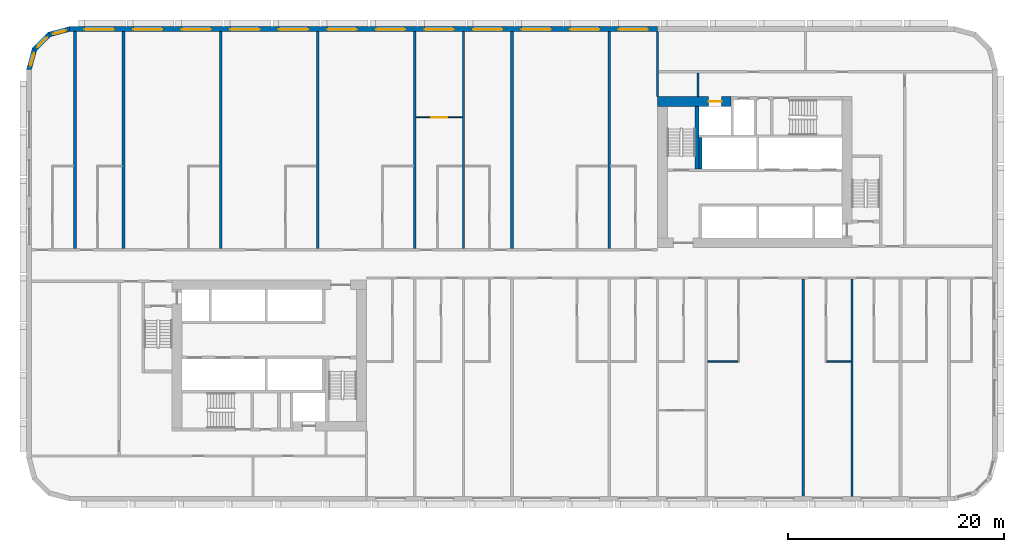
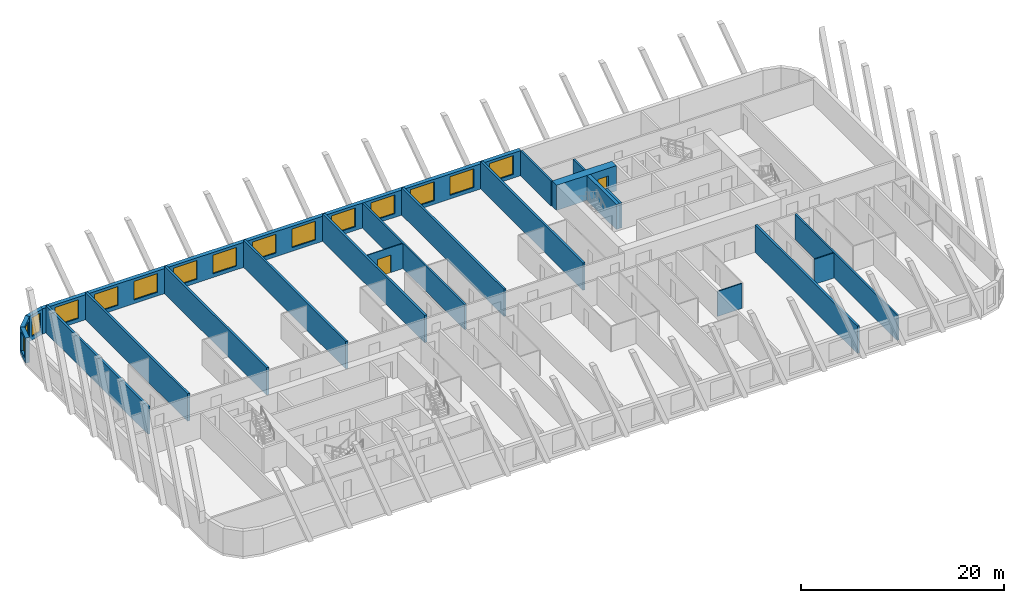
# One storey, part 6 of 13: 22 walls, 15 windows, 2 doors, 17 openings.
"""IFC4 building model written with IfcOpenShell, lengths in metres."""

from ifc_helpers import new_model, si_unit, direction, frame, frame_2d, origin, place, context, subcontext, project, spatial, polyline, rectangle, outline, extrude, material, layer, layer_set, type_object, element, fill, save


model = new_model("IFC4")

# Units and contexts
model_context = context("Model", 3, precision=1e-05, world=origin(), true_north=direction((0.0, 1.0)))
body_context = subcontext(model_context, "Body", "Model", "MODEL_VIEW")
ifc_project = project(units=[si_unit("LENGTHUNIT", "METRE"), si_unit("AREAUNIT", "SQUARE_METRE"), si_unit("VOLUMEUNIT", "CUBIC_METRE"), si_unit("PLANEANGLEUNIT", "RADIAN"), si_unit("MASSUNIT", "GRAM", prefix="KILO")], contexts=[model_context])

# Site, building, storey
site_placement = place(None, origin())
site = spatial("IfcSite", under=ifc_project, at=site_placement, CompositionType="ELEMENT")
building_placement = place(site_placement, origin())
building = spatial("IfcBuilding", under=site, at=building_placement, Name="Kajstack Hotel Tower", CompositionType="ELEMENT")
storey_placement = place(building_placement, frame((0.0, 0.0, 79.800048828125)))
storey = spatial("IfcBuildingStorey", under=building, at=storey_placement, Name="L15", CompositionType="ELEMENT", Elevation=79.800048828125)

# Wall, opening, door
ifc_material_1 = material(Name="Concrete C60/75", Category="concrete")
ifc_layer_1 = layer(ifc_material_1, 0.89990234375)
ifc_layer_set_1 = layer_set([ifc_layer_1], Name="Core wall 900")
wall_type_1 = type_object("IfcWallType", Name="Core wall 900", PredefinedType="SHEAR", material=ifc_layer_set_1)
wall_1_placement = place(storey_placement, frame((13.5, 15.050048828125, 0.0), z_axis=(0.0, 0.0, 1.0), x_axis=(1.0, 0.0, 0.0)))
wall_1 = element("IfcWall", 1, at=wall_1_placement, inside=storey, type_object=wall_type_1, Name="Core wall E RS", PredefinedType="SHEAR", context=body_context, shape_type="SweptSolid", body=[
    extrude(rectangle(XDim=6.800048828125, YDim=0.89990234375, at=frame_2d((3.39990234375, 0.0))), origin(), (0.0, 0.0, 1.0), 3.02001953125),
])
opening_1_placement = place(wall_1_placement, frame((4.72509765625, 0.0, 0.0)))
opening_1 = element("IfcOpeningElement", 2, at=opening_1_placement, cuts=wall_1, Name="Opening LD-SV2", PredefinedType="OPENING", context=body_context, shape_type="SweptSolid", body=[
    extrude(rectangle(XDim=1.199951171875, YDim=2.10009765625, at=frame_2d((0.60009765625, 1.050048828125))), frame((0.0, 0.4599609375, 0.0), z_axis=(0.0, -1.0, 0.0), x_axis=(1.0, 0.0, 0.0)), (0.0, 0.0, 1.0), 0.919921875),
])
ifc_material_2 = material(Name="Stainless steel", Category="steel")
door_type_1 = type_object("IfcDoorType", Name="Lift landing door 1200", OperationType="SLIDING_TO_LEFT", PredefinedType="DOOR", material=ifc_material_2)
door_1_placement = place(opening_1_placement, origin())
door_1 = element("IfcDoor", 3, at=door_1_placement, inside=storey, type_object=door_type_1, Name="Landing door SV2", OperationType="SLIDING_TO_LEFT", OverallHeight=2.10009765625, OverallWidth=1.199951171875, PredefinedType="DOOR", context=body_context, shape_type="SweptSolid", body=[
    extrude(rectangle(XDim=1.199951171875, YDim=2.10009765625, at=frame_2d((0.60009765625, 1.050048828125))), frame((0.0, 0.02490234375, 0.0), z_axis=(0.0, -1.0, 0.0), x_axis=(1.0, 0.0, 0.0)), (0.0, 0.0, 1.0), 0.050048828125),
])
fill(opening_1, door_1)

# Walls
ifc_material_3 = material(Name="Twin-frame gypsum board on steel studs, mineral wool", Category="steel")
ifc_layer_2 = layer(ifc_material_3, 0.199951171875)
ifc_layer_set_2 = layer_set([ifc_layer_2], Name="Demising wall 200")
wall_type_2 = type_object("IfcWallType", Name="Demising wall 200", PredefinedType="PARTITIONING", material=ifc_layer_set_2)
wall_2_placement = place(storey_placement, frame((13.5, 15.5, 0.0), z_axis=(0.0, 0.0, 1.0), x_axis=(0.0, 1.0, 0.0)))
element("IfcWall", 4, at=wall_2_placement, inside=storey, type_object=wall_type_2, Name="G-wall-L15-001", PredefinedType="PARTITIONING", context=body_context, shape_type="SweptSolid", body=[
    extrude(rectangle(XDim=6.050048828125, YDim=0.199951171875, at=frame_2d((3.02490234375, 0.0))), origin(), (0.0, 0.0, 1.0), 3.02001953125),
])
for number, where, z_axis, x_axis, name in (
    (5, (-4.5, 1.39990234375, 0.0), (0.0, 0.0, 1.0), (0.0, 1.0, 0.0), "G-wall-L15-014"),
    (6, (31.5, -21.550048828125, 0.0), (0.0, 0.0, 1.0), (0.0, 1.0, 0.0), "G-wall-L15-042"),
):
    element("IfcWall", number, at=place(storey_placement, frame(where, z_axis=z_axis, x_axis=x_axis)), inside=storey, type_object=wall_type_2, Name=name, PredefinedType="PARTITIONING", context=body_context, shape_type="SweptSolid", body=[
        extrude(rectangle(XDim=20.150146484375, YDim=0.199951171875, at=frame_2d((10.0751953125, 0.0))), origin(), (0.0, 0.0, 1.0), 3.02001953125),
    ])

# Wall, openings, windows
ifc_material_4 = material(Name="Terracotta-faced brick masonry", Category="masonry")
ifc_layer_3 = layer(ifc_material_4, 0.449951171875)
ifc_layer_set_3 = layer_set([ifc_layer_3], Name="EW-TERRA")
wall_type_3 = type_object("IfcWallType", Name="EW-TERRA", PredefinedType="SOLIDWALL", material=ifc_layer_set_3)
wall_3_placement = place(storey_placement, frame((13.5, 21.77490234375, 0.0), z_axis=(0.0, 0.0, 1.0), x_axis=(-1.0, 0.0, 0.0)))
wall_3 = element("IfcWall", 7, at=wall_3_placement, inside=storey, type_object=wall_type_3, Name="E-wall-L15-11-02", PredefinedType="SOLIDWALL", context=body_context, shape_type="SweptSolid", body=[
    extrude(rectangle(XDim=54.5, YDim=0.449951171875, at=frame_2d((27.25, 0.0))), origin(), (0.0, 0.0, 1.0), 3.02001953125),
])
opening_2_placement = place(wall_3_placement, frame((0.89990234375, 0.0, 0.449951171875)))
opening_2 = element("IfcOpeningElement", 8, at=opening_2_placement, cuts=wall_3, Name="Opening W1", PredefinedType="OPENING", context=body_context, shape_type="SweptSolid", body=[
    extrude(rectangle(XDim=2.699951171875, YDim=2.25, at=frame_2d((1.35009765625, 1.125))), frame((0.0, 0.23486328125, 0.0), z_axis=(0.0, -1.0, 0.0), x_axis=(1.0, 0.0, 0.0)), (0.0, 0.0, 1.0), 0.469970703125),
])
opening_3_placement = place(wall_3_placement, frame((5.39990234375, 0.0, 0.449951171875)))
opening_3 = element("IfcOpeningElement", 9, at=opening_3_placement, cuts=wall_3, Name="Opening W1", PredefinedType="OPENING", context=body_context, shape_type="SweptSolid", body=[
    extrude(rectangle(XDim=2.699951171875, YDim=2.25, at=frame_2d((1.35009765625, 1.125))), frame((0.0, 0.23486328125, 0.0), z_axis=(0.0, -1.0, 0.0), x_axis=(1.0, 0.0, 0.0)), (0.0, 0.0, 1.0), 0.469970703125),
])
opening_4_placement = place(wall_3_placement, frame((9.89990234375, 0.0, 0.449951171875)))
opening_4 = element("IfcOpeningElement", 10, at=opening_4_placement, cuts=wall_3, Name="Opening W1", PredefinedType="OPENING", context=body_context, shape_type="SweptSolid", body=[
    extrude(rectangle(XDim=2.699951171875, YDim=2.25, at=frame_2d((1.35009765625, 1.125))), frame((0.0, 0.23486328125, 0.0), z_axis=(0.0, -1.0, 0.0), x_axis=(1.0, 0.0, 0.0)), (0.0, 0.0, 1.0), 0.469970703125),
])
opening_5_placement = place(wall_3_placement, frame((14.39990234375, 0.0, 0.449951171875)))
opening_5 = element("IfcOpeningElement", 11, at=opening_5_placement, cuts=wall_3, Name="Opening W1", PredefinedType="OPENING", context=body_context, shape_type="SweptSolid", body=[
    extrude(rectangle(XDim=2.699951171875, YDim=2.25, at=frame_2d((1.35009765625, 1.125))), frame((0.0, 0.23486328125, 0.0), z_axis=(0.0, -1.0, 0.0), x_axis=(1.0, 0.0, 0.0)), (0.0, 0.0, 1.0), 0.469970703125),
])
opening_6_placement = place(wall_3_placement, frame((18.89990234375, 0.0, 0.449951171875)))
opening_6 = element("IfcOpeningElement", 12, at=opening_6_placement, cuts=wall_3, Name="Opening W1", PredefinedType="OPENING", context=body_context, shape_type="SweptSolid", body=[
    extrude(rectangle(XDim=2.699951171875, YDim=2.25, at=frame_2d((1.35009765625, 1.125))), frame((0.0, 0.23486328125, 0.0), z_axis=(0.0, -1.0, 0.0), x_axis=(1.0, 0.0, 0.0)), (0.0, 0.0, 1.0), 0.469970703125),
])
opening_7_placement = place(wall_3_placement, frame((23.39990234375, 0.0, 0.449951171875)))
opening_7 = element("IfcOpeningElement", 13, at=opening_7_placement, cuts=wall_3, Name="Opening W1", PredefinedType="OPENING", context=body_context, shape_type="SweptSolid", body=[
    extrude(rectangle(XDim=2.699951171875, YDim=2.25, at=frame_2d((1.35009765625, 1.125))), frame((0.0, 0.23486328125, 0.0), z_axis=(0.0, -1.0, 0.0), x_axis=(1.0, 0.0, 0.0)), (0.0, 0.0, 1.0), 0.469970703125),
])
opening_8_placement = place(wall_3_placement, frame((27.89990234375, 0.0, 0.449951171875)))
opening_8 = element("IfcOpeningElement", 14, at=opening_8_placement, cuts=wall_3, Name="Opening W1", PredefinedType="OPENING", context=body_context, shape_type="SweptSolid", body=[
    extrude(rectangle(XDim=2.699951171875, YDim=2.25, at=frame_2d((1.35009765625, 1.125))), frame((0.0, 0.23486328125, 0.0), z_axis=(0.0, -1.0, 0.0), x_axis=(1.0, 0.0, 0.0)), (0.0, 0.0, 1.0), 0.469970703125),
])
opening_9_placement = place(wall_3_placement, frame((32.39990234375, 0.0, 0.449951171875)))
opening_9 = element("IfcOpeningElement", 15, at=opening_9_placement, cuts=wall_3, Name="Opening W1", PredefinedType="OPENING", context=body_context, shape_type="SweptSolid", body=[
    extrude(rectangle(XDim=2.699951171875, YDim=2.25, at=frame_2d((1.35009765625, 1.125))), frame((0.0, 0.23486328125, 0.0), z_axis=(0.0, -1.0, 0.0), x_axis=(1.0, 0.0, 0.0)), (0.0, 0.0, 1.0), 0.469970703125),
])
opening_10_placement = place(wall_3_placement, frame((36.89990234375, 0.0, 0.449951171875)))
opening_10 = element("IfcOpeningElement", 16, at=opening_10_placement, cuts=wall_3, Name="Opening W1", PredefinedType="OPENING", context=body_context, shape_type="SweptSolid", body=[
    extrude(rectangle(XDim=2.699951171875, YDim=2.25, at=frame_2d((1.35009765625, 1.125))), frame((0.0, 0.23486328125, 0.0), z_axis=(0.0, -1.0, 0.0), x_axis=(1.0, 0.0, 0.0)), (0.0, 0.0, 1.0), 0.469970703125),
])
opening_11_placement = place(wall_3_placement, frame((41.39990234375, 0.0, 0.449951171875)))
opening_11 = element("IfcOpeningElement", 17, at=opening_11_placement, cuts=wall_3, Name="Opening W1", PredefinedType="OPENING", context=body_context, shape_type="SweptSolid", body=[
    extrude(rectangle(XDim=2.699951171875, YDim=2.25, at=frame_2d((1.35009765625, 1.125))), frame((0.0, 0.23486328125, 0.0), z_axis=(0.0, -1.0, 0.0), x_axis=(1.0, 0.0, 0.0)), (0.0, 0.0, 1.0), 0.469970703125),
])
opening_12_placement = place(wall_3_placement, frame((45.89990234375, 0.0, 0.449951171875)))
opening_12 = element("IfcOpeningElement", 18, at=opening_12_placement, cuts=wall_3, Name="Opening W1", PredefinedType="OPENING", context=body_context, shape_type="SweptSolid", body=[
    extrude(rectangle(XDim=2.699951171875, YDim=2.25, at=frame_2d((1.35009765625, 1.125))), frame((0.0, 0.23486328125, 0.0), z_axis=(0.0, -1.0, 0.0), x_axis=(1.0, 0.0, 0.0)), (0.0, 0.0, 1.0), 0.469970703125),
])
opening_13_placement = place(wall_3_placement, frame((50.39990234375, 0.0, 0.449951171875)))
opening_13 = element("IfcOpeningElement", 19, at=opening_13_placement, cuts=wall_3, Name="Opening W1", PredefinedType="OPENING", context=body_context, shape_type="SweptSolid", body=[
    extrude(rectangle(XDim=2.699951171875, YDim=2.25, at=frame_2d((1.35009765625, 1.125))), frame((0.0, 0.23486328125, 0.0), z_axis=(0.0, -1.0, 0.0), x_axis=(1.0, 0.0, 0.0)), (0.0, 0.0, 1.0), 0.469970703125),
])
ifc_material_5 = material(Name="Timber-aluminium window, triple glazed", Category="wood")
window_type_1 = type_object("IfcWindowType", Name="WG1", PartitioningType="SINGLE_PANEL", PredefinedType="WINDOW", material=ifc_material_5)
window_1_placement = place(opening_2_placement, origin())
window_1 = element("IfcWindow", 20, at=window_1_placement, inside=storey, type_object=window_type_1, Name="Window W1 L15-11", OverallHeight=2.25, OverallWidth=2.699951171875, PartitioningType="SINGLE_PANEL", PredefinedType="WINDOW", context=body_context, shape_type="SweptSolid", body=[
    extrude(rectangle(XDim=2.699951171875, YDim=2.25, at=frame_2d((1.35009765625, 1.125))), frame((0.0, 0.090087890625, 0.0), z_axis=(0.0, -1.0, 0.0), x_axis=(1.0, 0.0, 0.0)), (0.0, 0.0, 1.0), 0.06005859375),
])
fill(opening_2, window_1)
window_2_placement = place(opening_3_placement, origin())
window_2 = element("IfcWindow", 21, at=window_2_placement, inside=storey, type_object=window_type_1, Name="Window W1 L15-11", OverallHeight=2.25, OverallWidth=2.699951171875, PartitioningType="SINGLE_PANEL", PredefinedType="WINDOW", context=body_context, shape_type="SweptSolid", body=[
    extrude(rectangle(XDim=2.699951171875, YDim=2.25, at=frame_2d((1.35009765625, 1.125))), frame((0.0, 0.090087890625, 0.0), z_axis=(0.0, -1.0, 0.0), x_axis=(1.0, 0.0, 0.0)), (0.0, 0.0, 1.0), 0.06005859375),
])
fill(opening_3, window_2)
window_3_placement = place(opening_4_placement, origin())
window_3 = element("IfcWindow", 22, at=window_3_placement, inside=storey, type_object=window_type_1, Name="Window W1 L15-11", OverallHeight=2.25, OverallWidth=2.699951171875, PartitioningType="SINGLE_PANEL", PredefinedType="WINDOW", context=body_context, shape_type="SweptSolid", body=[
    extrude(rectangle(XDim=2.699951171875, YDim=2.25, at=frame_2d((1.35009765625, 1.125))), frame((0.0, 0.090087890625, 0.0), z_axis=(0.0, -1.0, 0.0), x_axis=(1.0, 0.0, 0.0)), (0.0, 0.0, 1.0), 0.06005859375),
])
fill(opening_4, window_3)
window_4_placement = place(opening_5_placement, origin())
window_4 = element("IfcWindow", 23, at=window_4_placement, inside=storey, type_object=window_type_1, Name="Window W1 L15-11", OverallHeight=2.25, OverallWidth=2.699951171875, PartitioningType="SINGLE_PANEL", PredefinedType="WINDOW", context=body_context, shape_type="SweptSolid", body=[
    extrude(rectangle(XDim=2.699951171875, YDim=2.25, at=frame_2d((1.35009765625, 1.125))), frame((0.0, 0.090087890625, 0.0), z_axis=(0.0, -1.0, 0.0), x_axis=(1.0, 0.0, 0.0)), (0.0, 0.0, 1.0), 0.06005859375),
])
fill(opening_5, window_4)
window_5_placement = place(opening_6_placement, origin())
window_5 = element("IfcWindow", 24, at=window_5_placement, inside=storey, type_object=window_type_1, Name="Window W1 L15-11", OverallHeight=2.25, OverallWidth=2.699951171875, PartitioningType="SINGLE_PANEL", PredefinedType="WINDOW", context=body_context, shape_type="SweptSolid", body=[
    extrude(rectangle(XDim=2.699951171875, YDim=2.25, at=frame_2d((1.35009765625, 1.125))), frame((0.0, 0.090087890625, 0.0), z_axis=(0.0, -1.0, 0.0), x_axis=(1.0, 0.0, 0.0)), (0.0, 0.0, 1.0), 0.06005859375),
])
fill(opening_6, window_5)
window_6_placement = place(opening_7_placement, origin())
window_6 = element("IfcWindow", 25, at=window_6_placement, inside=storey, type_object=window_type_1, Name="Window W1 L15-11", OverallHeight=2.25, OverallWidth=2.699951171875, PartitioningType="SINGLE_PANEL", PredefinedType="WINDOW", context=body_context, shape_type="SweptSolid", body=[
    extrude(rectangle(XDim=2.699951171875, YDim=2.25, at=frame_2d((1.35009765625, 1.125))), frame((0.0, 0.090087890625, 0.0), z_axis=(0.0, -1.0, 0.0), x_axis=(1.0, 0.0, 0.0)), (0.0, 0.0, 1.0), 0.06005859375),
])
fill(opening_7, window_6)
window_7_placement = place(opening_8_placement, origin())
window_7 = element("IfcWindow", 26, at=window_7_placement, inside=storey, type_object=window_type_1, Name="Window W1 L15-11", OverallHeight=2.25, OverallWidth=2.699951171875, PartitioningType="SINGLE_PANEL", PredefinedType="WINDOW", context=body_context, shape_type="SweptSolid", body=[
    extrude(rectangle(XDim=2.699951171875, YDim=2.25, at=frame_2d((1.35009765625, 1.125))), frame((0.0, 0.090087890625, 0.0), z_axis=(0.0, -1.0, 0.0), x_axis=(1.0, 0.0, 0.0)), (0.0, 0.0, 1.0), 0.06005859375),
])
fill(opening_8, window_7)
window_8_placement = place(opening_9_placement, origin())
window_8 = element("IfcWindow", 27, at=window_8_placement, inside=storey, type_object=window_type_1, Name="Window W1 L15-11", OverallHeight=2.25, OverallWidth=2.699951171875, PartitioningType="SINGLE_PANEL", PredefinedType="WINDOW", context=body_context, shape_type="SweptSolid", body=[
    extrude(rectangle(XDim=2.699951171875, YDim=2.25, at=frame_2d((1.35009765625, 1.125))), frame((0.0, 0.090087890625, 0.0), z_axis=(0.0, -1.0, 0.0), x_axis=(1.0, 0.0, 0.0)), (0.0, 0.0, 1.0), 0.06005859375),
])
fill(opening_9, window_8)
window_9_placement = place(opening_10_placement, origin())
window_9 = element("IfcWindow", 28, at=window_9_placement, inside=storey, type_object=window_type_1, Name="Window W1 L15-11", OverallHeight=2.25, OverallWidth=2.699951171875, PartitioningType="SINGLE_PANEL", PredefinedType="WINDOW", context=body_context, shape_type="SweptSolid", body=[
    extrude(rectangle(XDim=2.699951171875, YDim=2.25, at=frame_2d((1.35009765625, 1.125))), frame((0.0, 0.090087890625, 0.0), z_axis=(0.0, -1.0, 0.0), x_axis=(1.0, 0.0, 0.0)), (0.0, 0.0, 1.0), 0.06005859375),
])
fill(opening_10, window_9)
window_10_placement = place(opening_11_placement, origin())
window_10 = element("IfcWindow", 29, at=window_10_placement, inside=storey, type_object=window_type_1, Name="Window W1 L15-11", OverallHeight=2.25, OverallWidth=2.699951171875, PartitioningType="SINGLE_PANEL", PredefinedType="WINDOW", context=body_context, shape_type="SweptSolid", body=[
    extrude(rectangle(XDim=2.699951171875, YDim=2.25, at=frame_2d((1.35009765625, 1.125))), frame((0.0, 0.090087890625, 0.0), z_axis=(0.0, -1.0, 0.0), x_axis=(1.0, 0.0, 0.0)), (0.0, 0.0, 1.0), 0.06005859375),
])
fill(opening_11, window_10)
window_11_placement = place(opening_12_placement, origin())
window_11 = element("IfcWindow", 30, at=window_11_placement, inside=storey, type_object=window_type_1, Name="Window W1 L15-11", OverallHeight=2.25, OverallWidth=2.699951171875, PartitioningType="SINGLE_PANEL", PredefinedType="WINDOW", context=body_context, shape_type="SweptSolid", body=[
    extrude(rectangle(XDim=2.699951171875, YDim=2.25, at=frame_2d((1.35009765625, 1.125))), frame((0.0, 0.090087890625, 0.0), z_axis=(0.0, -1.0, 0.0), x_axis=(1.0, 0.0, 0.0)), (0.0, 0.0, 1.0), 0.06005859375),
])
fill(opening_12, window_11)
window_12_placement = place(opening_13_placement, origin())
window_12 = element("IfcWindow", 31, at=window_12_placement, inside=storey, type_object=window_type_1, Name="Window W1 L15-11", OverallHeight=2.25, OverallWidth=2.699951171875, PartitioningType="SINGLE_PANEL", PredefinedType="WINDOW", context=body_context, shape_type="SweptSolid", body=[
    extrude(rectangle(XDim=2.699951171875, YDim=2.25, at=frame_2d((1.35009765625, 1.125))), frame((0.0, 0.090087890625, 0.0), z_axis=(0.0, -1.0, 0.0), x_axis=(1.0, 0.0, 0.0)), (0.0, 0.0, 1.0), 0.06005859375),
])
fill(opening_13, window_12)

# Wall, opening, window
wall_4_placement = place(storey_placement, frame((-40.941650390625, 21.78271484375, 0.0), z_axis=(0.0, 0.0, 1.0), x_axis=(-0.965926999034, -0.25881466832, 0.0)))
wall_4 = element("IfcWall", 32, at=wall_4_placement, inside=storey, type_object=wall_type_3, Name="E-wall-L15-12-00", PredefinedType="SOLIDWALL", context=body_context, shape_type="SweptSolid", body=[
    extrude(outline(polyline([(0.000244140625, -0.22509765625), (2.070556640625, -0.224853515625), (1.9501953125, 0.22509765625), (0.12060546875, 0.22509765625), (0.000244140625, -0.22509765625)])), origin(), (0.0, 0.0, 1.0), 3.02001953125),
])
opening_14_placement = place(wall_4_placement, frame((0.435302734375, 0.0, 0.449951171875)))
opening_14 = element("IfcOpeningElement", 33, at=opening_14_placement, cuts=wall_4, Name="Opening W3", PredefinedType="OPENING", context=body_context, shape_type="SweptSolid", body=[
    extrude(rectangle(XDim=1.199951171875, YDim=2.25, at=frame_2d((0.60009765625, 1.125))), frame((0.0, 0.23486328125, 0.0), z_axis=(0.0, -1.0, 0.0), x_axis=(1.0, 0.0, 0.0)), (0.0, 0.0, 1.0), 0.469970703125),
])
window_type_2 = type_object("IfcWindowType", Name="WG3", PartitioningType="SINGLE_PANEL", PredefinedType="WINDOW", material=ifc_material_5)
window_13_placement = place(opening_14_placement, origin())
window_13 = element("IfcWindow", 34, at=window_13_placement, inside=storey, type_object=window_type_2, Name="Window W3 L15-12", OverallHeight=2.25, OverallWidth=1.199951171875, PartitioningType="SINGLE_PANEL", PredefinedType="WINDOW", context=body_context, shape_type="SweptSolid", body=[
    extrude(rectangle(XDim=1.199951171875, YDim=2.25, at=frame_2d((0.60009765625, 1.125))), frame((0.0, 0.090087890625, 0.0), z_axis=(0.0, -1.0, 0.0), x_axis=(1.0, 0.0, 0.0)), (0.0, 0.0, 1.0), 0.06005859375),
])
fill(opening_14, window_13)

wall_5_placement = place(storey_placement, frame((-42.8408203125, 21.304931640625, 0.0), z_axis=(0.0, 0.0, 1.0), x_axis=(-0.707106781187, -0.707106781187, 0.0)))
wall_5 = element("IfcWall", 35, at=wall_5_placement, inside=storey, type_object=wall_type_3, Name="E-wall-L15-13-00", PredefinedType="SOLIDWALL", context=body_context, shape_type="SweptSolid", body=[
    extrude(outline(polyline([(0.0, -0.22509765625), (2.070556640625, -0.22509765625), (1.949951171875, 0.224853515625), (0.12060546875, 0.224853515625), (0.0, -0.22509765625)])), origin(), (0.0, 0.0, 1.0), 3.02001953125),
])
opening_15_placement = place(wall_5_placement, frame((0.435302734375, 0.0, 0.449951171875)))
opening_15 = element("IfcOpeningElement", 36, at=opening_15_placement, cuts=wall_5, Name="Opening W3", PredefinedType="OPENING", context=body_context, shape_type="SweptSolid", body=[
    extrude(rectangle(XDim=1.199951171875, YDim=2.25, at=frame_2d((0.60009765625, 1.125))), frame((0.0, 0.23486328125, 0.0), z_axis=(0.0, -1.0, 0.0), x_axis=(1.0, 0.0, 0.0)), (0.0, 0.0, 1.0), 0.469970703125),
])
window_14_placement = place(opening_15_placement, origin())
window_14 = element("IfcWindow", 37, at=window_14_placement, inside=storey, type_object=window_type_2, Name="Window W3 L15-13", OverallHeight=2.25, OverallWidth=1.199951171875, PartitioningType="SINGLE_PANEL", PredefinedType="WINDOW", context=body_context, shape_type="SweptSolid", body=[
    extrude(rectangle(XDim=1.199951171875, YDim=2.25, at=frame_2d((0.60009765625, 1.125))), frame((0.0, 0.090087890625, 0.0), z_axis=(0.0, -1.0, 0.0), x_axis=(1.0, 0.0, 0.0)), (0.0, 0.0, 1.0), 0.06005859375),
])
fill(opening_15, window_14)

wall_6_placement = place(storey_placement, frame((-44.246826171875, 19.941650390625, 0.0), z_axis=(0.0, 0.0, 1.0), x_axis=(-0.25881466832, -0.965926999034, 0.0)))
wall_6 = element("IfcWall", 38, at=wall_6_placement, inside=storey, type_object=wall_type_3, Name="E-wall-L15-14-00", PredefinedType="SOLIDWALL", context=body_context, shape_type="SweptSolid", body=[
    extrude(outline(polyline([(-0.000244140625, -0.224853515625), (2.0703125, -0.22509765625), (1.949951171875, 0.22509765625), (0.120361328125, 0.22509765625), (-0.000244140625, -0.224853515625)])), origin(), (0.0, 0.0, 1.0), 3.02001953125),
])
opening_16_placement = place(wall_6_placement, frame((0.435302734375, 0.0, 0.449951171875)))
opening_16 = element("IfcOpeningElement", 39, at=opening_16_placement, cuts=wall_6, Name="Opening W3", PredefinedType="OPENING", context=body_context, shape_type="SweptSolid", body=[
    extrude(rectangle(XDim=1.199951171875, YDim=2.25, at=frame_2d((0.60009765625, 1.125))), frame((0.0, 0.23486328125, 0.0), z_axis=(0.0, -1.0, 0.0), x_axis=(1.0, 0.0, 0.0)), (0.0, 0.0, 1.0), 0.469970703125),
])
window_15_placement = place(opening_16_placement, origin())
window_15 = element("IfcWindow", 40, at=window_15_placement, inside=storey, type_object=window_type_2, Name="Window W3 L15-14", OverallHeight=2.25, OverallWidth=1.199951171875, PartitioningType="SINGLE_PANEL", PredefinedType="WINDOW", context=body_context, shape_type="SweptSolid", body=[
    extrude(rectangle(XDim=1.199951171875, YDim=2.25, at=frame_2d((0.60009765625, 1.125))), frame((0.0, 0.090087890625, 0.0), z_axis=(0.0, -1.0, 0.0), x_axis=(1.0, 0.0, 0.0)), (0.0, 0.0, 1.0), 0.06005859375),
])
fill(opening_16, window_15)

# Walls
ifc_material_6 = material(Name="Gypsum board and tiled backer on steel studs", Category="steel")
ifc_layer_4 = layer(ifc_material_6, 0.125)
ifc_layer_set_4 = layer_set([ifc_layer_4], Name="En-suite wall 125")
wall_type_4 = type_object("IfcWallType", Name="En-suite wall 125", PredefinedType="PARTITIONING", material=ifc_layer_set_4)
wall_7_placement = place(storey_placement, frame((18.125, -9.06201171875, 0.0), z_axis=(0.0, 0.0, 1.0), x_axis=(1.0, 0.0, 0.0)))
element("IfcWall", 41, at=wall_7_placement, inside=storey, type_object=wall_type_4, Name="G-wall-L15-041", PredefinedType="PARTITIONING", context=body_context, shape_type="SweptSolid", body=[
    extrude(rectangle(XDim=2.800048828125, YDim=0.125, at=frame_2d((1.39990234375, 0.0))), origin(), (0.0, 0.0, 1.0), 3.02001953125),
])
wall_8_placement = place(storey_placement, frame((29.14990234375, -9.06201171875, 0.0), z_axis=(0.0, 0.0, 1.0), x_axis=(1.0, 0.0, 0.0)))
element("IfcWall", 42, at=wall_8_placement, inside=storey, type_object=wall_type_4, Name="G-wall-L15-044", PredefinedType="PARTITIONING", context=body_context, shape_type="SweptSolid", body=[
    extrude(rectangle(XDim=2.25, YDim=0.125, at=frame_2d((1.125, 0.0))), origin(), (0.0, 0.0, 1.0), 3.02001953125),
])

# Wall, opening, door
ifc_material_7 = material(Name="Gypsum board on steel studs", Category="steel")
ifc_layer_5 = layer(ifc_material_7, 0.10009765625)
ifc_layer_set_5 = layer_set([ifc_layer_5], Name="Partition 100")
wall_type_5 = type_object("IfcWallType", Name="Partition 100", PredefinedType="PARTITIONING", material=ifc_layer_set_5)
wall_9_placement = place(storey_placement, frame((-8.875, 13.574951171875, 0.0), z_axis=(0.0, 0.0, 1.0), x_axis=(1.0, 0.0, 0.0)))
wall_9 = element("IfcWall", 43, at=wall_9_placement, inside=storey, type_object=wall_type_5, Name="G-wall-L15-017", PredefinedType="PARTITIONING", context=body_context, shape_type="SweptSolid", body=[
    extrude(rectangle(XDim=4.27490234375, YDim=0.10009765625, at=frame_2d((2.137451171875, 0.0))), origin(), (0.0, 0.0, 1.0), 3.02001953125),
])
opening_17_placement = place(wall_9_placement, frame((1.387939453125, 0.0, 0.0)))
opening_17 = element("IfcOpeningElement", 44, at=opening_17_placement, cuts=wall_9, Name="Opening 15013", PredefinedType="OPENING", context=body_context, shape_type="SweptSolid", body=[
    extrude(rectangle(XDim=1.5, YDim=2.10009765625, at=frame_2d((0.75, 1.050048828125))), frame((0.0, 0.06005859375, 0.0), z_axis=(0.0, -1.0, 0.0), x_axis=(1.0, 0.0, 0.0)), (0.0, 0.0, 1.0), 0.1201171875),
])
ifc_material_8 = material(Name="Painted timber door leaves, glazed panels", Category="wood")
door_type_2 = type_object("IfcDoorType", Name="Double door 1500", OperationType="SINGLE_SWING_LEFT", PredefinedType="DOOR", material=ifc_material_8)
door_2_placement = place(opening_17_placement, origin())
door_2 = element("IfcDoor", 45, at=door_2_placement, inside=storey, type_object=door_type_2, Name="G-door-L15-13", OperationType="SINGLE_SWING_LEFT", OverallHeight=2.10009765625, OverallWidth=1.5, PredefinedType="DOOR", context=body_context, shape_type="SweptSolid", body=[
    extrude(rectangle(XDim=1.5, YDim=2.10009765625, at=frame_2d((0.75, 1.050048828125))), frame((0.0, 0.02490234375, 0.0), z_axis=(0.0, -1.0, 0.0), x_axis=(1.0, 0.0, 0.0)), (0.0, 0.0, 1.0), 0.050048828125),
])
fill(opening_17, door_2)

# Walls
ifc_layer_6 = layer(ifc_material_1, 0.25)
ifc_layer_set_6 = layer_set([ifc_layer_6], Name="RC cross wall 250 C60/75")
wall_type_6 = type_object("IfcWallType", Name="RC cross wall 250 C60/75", PredefinedType="SHEAR", material=ifc_layer_set_6)
for number, where, z_axis, x_axis, name in (
    (46, (-40.5, 1.39990234375, 0.0), (0.0, 0.0, 1.0), (0.0, 1.0, 0.0), "S-wall-L15-01"),
    (47, (-36.0, 1.39990234375, 0.0), (0.0, 0.0, 1.0), (0.0, 1.0, 0.0), "S-wall-L15-02"),
    (48, (-27.0, 1.39990234375, 0.0), (0.0, 0.0, 1.0), (0.0, 1.0, 0.0), "S-wall-L15-03"),
    (49, (-18.0, 1.39990234375, 0.0), (0.0, 0.0, 1.0), (0.0, 1.0, 0.0), "S-wall-L15-04"),
    (50, (-9.0, 1.39990234375, 0.0), (0.0, 0.0, 1.0), (0.0, 1.0, 0.0), "S-wall-L15-06"),
    (51, (0.0, 1.39990234375, 0.0), (0.0, 0.0, 1.0), (0.0, 1.0, 0.0), "S-wall-L15-08"),
    (52, (9.0, 1.39990234375, 0.0), (0.0, 0.0, 1.0), (0.0, 1.0, 0.0), "S-wall-L15-10"),
    (53, (27.0, -21.5400390625, 0.0), (0.0, 0.0, 1.0), (0.0, 1.0, 0.0), "S-wall-L15-12"),
):
    element("IfcWall", number, at=place(storey_placement, frame(where, z_axis=z_axis, x_axis=x_axis)), inside=storey, type_object=wall_type_6, Name=name, PredefinedType="SHEAR", context=body_context, shape_type="SweptSolid", body=[
        extrude(rectangle(XDim=20.14013671875, YDim=0.25, at=frame_2d((10.070068359375, 0.0))), origin(), (0.0, 0.0, 1.0), 3.300048828125),
    ])
ifc_material_9 = material(Name="Gypsum board on steel studs, mineral wool", Category="steel")
ifc_layer_7 = layer(ifc_material_9, 0.199951171875)
ifc_layer_set_7 = layer_set([ifc_layer_7], Name="Service partition 200")
wall_type_7 = type_object("IfcWallType", Name="Service partition 200", PredefinedType="PARTITIONING", material=ifc_layer_set_7)
wall_10_placement = place(storey_placement, frame((17.25, 15.5, 0.0), z_axis=(0.0, 0.0, 1.0), x_axis=(0.0, 1.0, 0.0)))
element("IfcWall", 54, at=wall_10_placement, inside=storey, type_object=wall_type_7, Name="Partition E SCE", PredefinedType="PARTITIONING", context=body_context, shape_type="SweptSolid", body=[
    extrude(rectangle(XDim=2.199951171875, YDim=0.199951171875, at=frame_2d((1.10009765625, 0.0))), origin(), (0.0, 0.0, 1.0), 3.02001953125),
])
ifc_material_10 = material(Name="Concrete C50/60", Category="concrete")
ifc_layer_8 = layer(ifc_material_10, 0.25)
ifc_layer_set_8 = layer_set([ifc_layer_8], Name="Shaft wall 250")
wall_type_8 = type_object("IfcWallType", Name="Shaft wall 250", PredefinedType="SHEAR", material=ifc_layer_set_8)
wall_11_placement = place(storey_placement, frame((17.47509765625, 8.800048828125, 0.0), z_axis=(0.0, 0.0, 1.0), x_axis=(0.0, 1.0, 0.0)))
element("IfcWall", 55, at=wall_11_placement, inside=storey, type_object=wall_type_8, Name="Core wall E BE", PredefinedType="SHEAR", context=body_context, shape_type="SweptSolid", body=[
    extrude(rectangle(XDim=2.89990234375, YDim=0.25, at=frame_2d((1.449951171875, 0.0))), origin(), (0.0, 0.0, 1.0), 3.02001953125),
])
ifc_layer_9 = layer(ifc_material_10, 0.39990234375)
ifc_layer_set_9 = layer_set([ifc_layer_9], Name="Stair wall 400")
wall_type_9 = type_object("IfcWallType", Name="Stair wall 400", PredefinedType="SHEAR", material=ifc_layer_set_9)
wall_12_placement = place(storey_placement, frame((17.14990234375, 8.800048828125, 0.0), z_axis=(0.0, 0.0, 1.0), x_axis=(0.0, 1.0, 0.0)))
element("IfcWall", 56, at=wall_12_placement, inside=storey, type_object=wall_type_9, Name="Core wall E WW2", PredefinedType="SHEAR", context=body_context, shape_type="SweptSolid", body=[
    extrude(rectangle(XDim=5.800048828125, YDim=0.39990234375, at=frame_2d((2.89990234375, 0.0))), origin(), (0.0, 0.0, 1.0), 3.02001953125),
])

save(model, "model.ifc")
